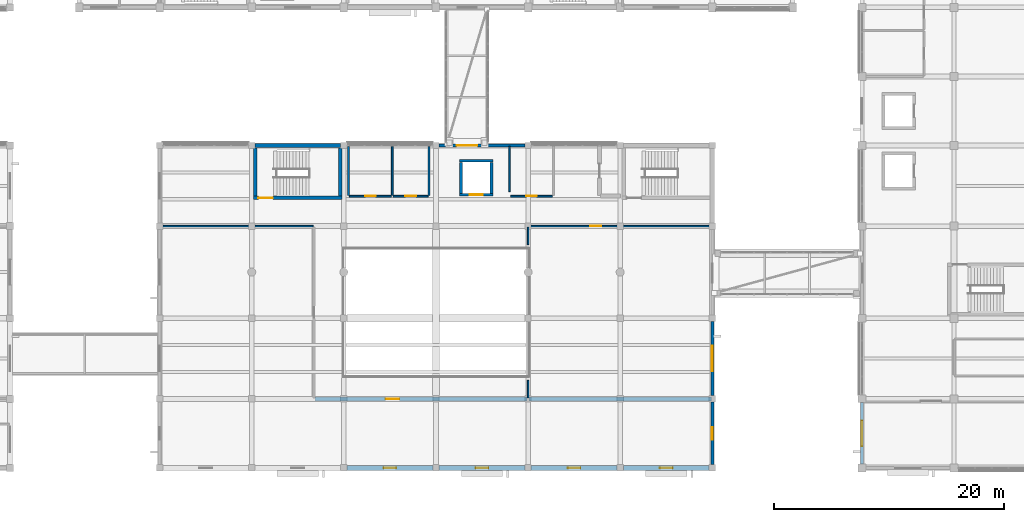
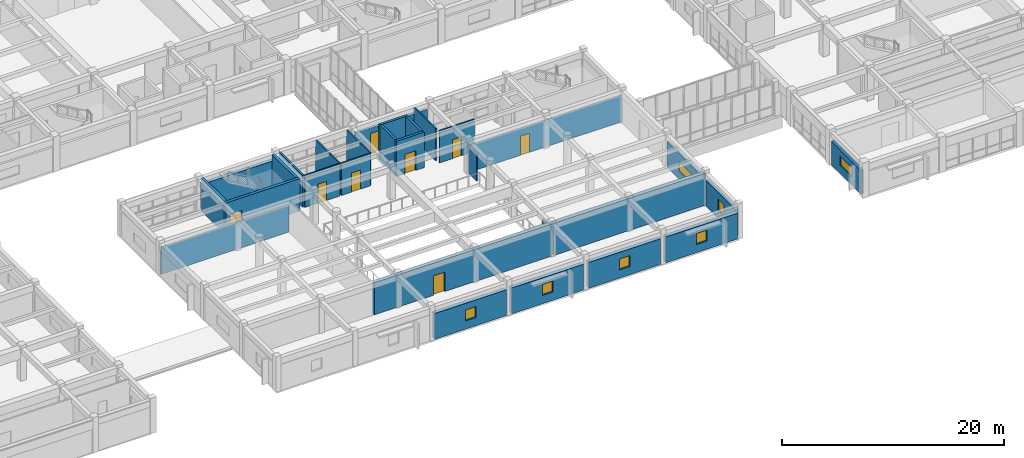
# One storey, part 48 of 66: 29 walls, 8 doors, 7 windows, 15 openings.
"""IFC4 building model written with IfcOpenShell, lengths in metres."""

from ifc_helpers import new_model, si_unit, direction, frame, frame_2d, origin, place, context, subcontext, project, spatial, rectangle, extrude, material, layer, layer_set, type_object, element, fill, save


model = new_model("IFC4")

# Units and contexts
model_context = context("Model", 3, precision=1e-05, world=origin(), true_north=direction((0.0, 1.0)))
body_context = subcontext(model_context, "Body", "Model", "MODEL_VIEW")
ifc_project = project(units=[si_unit("LENGTHUNIT", "METRE"), si_unit("AREAUNIT", "SQUARE_METRE"), si_unit("VOLUMEUNIT", "CUBIC_METRE"), si_unit("PLANEANGLEUNIT", "RADIAN"), si_unit("MASSUNIT", "GRAM", prefix="KILO")], contexts=[model_context])

# Site, building, storey
site_placement = place(None, origin())
site = spatial("IfcSite", under=ifc_project, at=site_placement, CompositionType="ELEMENT")
building_placement = place(site_placement, origin())
building = spatial("IfcBuilding", under=site, at=building_placement, Name="Naurynzar Civic Courthouse", CompositionType="ELEMENT")
storey_placement = place(building_placement, frame((0.0, 0.0, 14.39990234375)))
storey = spatial("IfcBuildingStorey", under=building, at=storey_placement, Name="L04", CompositionType="ELEMENT", Elevation=14.39990234375)

# Wall, opening, door
ifc_material_1 = material(Name="Concrete C40/50", Category="concrete")
ifc_layer_1 = layer(ifc_material_1, 0.300048828125)
ifc_layer_set_1 = layer_set([ifc_layer_1], Name="WL-CORE-300")
wall_type_1 = type_object("IfcWallType", Name="WL-CORE-300", PredefinedType="SHEAR", material=ifc_layer_set_1)
wall_1_placement = place(storey_placement, frame((77.14990234375, 27.449951171875, 0.0), z_axis=(0.0, 0.0, 1.0), x_axis=(1.0, 0.0, 0.0)))
wall_1 = element("IfcWall", 1, at=wall_1_placement, inside=storey, type_object=wall_type_1, Name="Stair ST-V3A enclosure wall south L04", PredefinedType="SHEAR", context=body_context, shape_type="SweptSolid", body=[
    extrude(rectangle(XDim=7.7001953125, YDim=0.300048828125, at=frame_2d((3.85009765625, 0.0))), origin(), (0.0, 0.0, 1.0), 3.56005859375),
])
opening_1_placement = place(wall_1_placement, frame((0.425048828125, 0.0, 0.0)))
opening_1 = element("IfcOpeningElement", 2, at=opening_1_placement, cuts=wall_1, Name="Opening SD-049", PredefinedType="OPENING", context=body_context, shape_type="SweptSolid", body=[
    extrude(rectangle(XDim=1.25, YDim=2.14990234375, at=frame_2d((0.625, 1.074951171875))), frame((0.0, 0.159912109375, 0.0), z_axis=(0.0, -1.0, 0.0), x_axis=(1.0, 0.0, 0.0)), (0.0, 0.0, 1.0), 0.320068359375),
])
ifc_material_2 = material(Name="Powder-Coated Galvanised Steel", Category="steel")
door_type_1 = type_object("IfcDoorType", Name="DR-STAIR-1250x2150", OperationType="NOTDEFINED", PredefinedType="DOOR", material=ifc_material_2)
door_1_placement = place(opening_1_placement, origin())
door_1 = element("IfcDoor", 3, at=door_1_placement, inside=storey, type_object=door_type_1, Name="Stair ST-V3A fire door L04", OperationType="SINGLE_SWING_LEFT", OverallHeight=2.14990234375, OverallWidth=1.25, PredefinedType="DOOR", context=body_context, shape_type="SweptSolid", body=[
    extrude(rectangle(XDim=1.25, YDim=2.14990234375, at=frame_2d((0.625, 1.074951171875))), frame((0.0, 0.02490234375, 0.0), z_axis=(0.0, -1.0, 0.0), x_axis=(1.0, 0.0, 0.0)), (0.0, 0.0, 1.0), 0.050048828125),
])
fill(opening_1, door_1)

# Walls
for number, where, z_axis, x_axis, name in (
    (4, (77.300048828125, 31.804931640625, 0.0), (0.0, 0.0, 1.0), (0.0, -1.0, 0.0), "Stair ST-V3A enclosure wall west L04"),
    (5, (84.699951171875, 27.60498046875, 0.0), (0.0, 0.0, 1.0), (0.0, 1.0, 0.0), "Stair ST-V3A enclosure wall east L04"),
):
    element("IfcWall", number, at=place(storey_placement, frame(where, z_axis=z_axis, x_axis=x_axis)), inside=storey, type_object=wall_type_1, Name=name, PredefinedType="SHEAR", context=body_context, shape_type="SweptSolid", body=[
        extrude(rectangle(XDim=4.199951171875, YDim=0.300048828125, at=frame_2d((2.10009765625, 0.0))), origin(), (0.0, 0.0, 1.0), 3.56005859375),
    ])

# Wall, opening, door
ifc_material_3 = material(Name="Concrete C40/50", Category="concrete")
ifc_layer_2 = layer(ifc_material_3, 0.35009765625)
ifc_layer_set_2 = layer_set([ifc_layer_2], Name="WL-CORE-350")
wall_type_2 = type_object("IfcWallType", Name="WL-CORE-350", PredefinedType="SHEAR", material=ifc_layer_set_2)
wall_2_placement = place(storey_placement, frame((82.47998046875, 10.0, 0.0), z_axis=(0.0, 0.0, 1.0), x_axis=(1.0, 0.0, 0.0)))
wall_2 = element("IfcWall", 6, at=wall_2_placement, inside=storey, type_object=wall_type_2, Name="V3 interior partition L04.448", PredefinedType="SHEAR", context=body_context, shape_type="SweptSolid", body=[
    extrude(rectangle(XDim=18.43994140625, YDim=0.35009765625, at=frame_2d((9.219970703125, 0.0))), origin(), (0.0, 0.0, 1.0), 3.5400390625),
])
opening_2_placement = place(wall_2_placement, frame((6.138916015625, 0.0, 0.0)))
opening_2 = element("IfcOpeningElement", 7, at=opening_2_placement, cuts=wall_2, Name="Opening D-248", PredefinedType="OPENING", context=body_context, shape_type="SweptSolid", body=[
    extrude(rectangle(XDim=1.199951171875, YDim=2.14990234375, at=frame_2d((0.60009765625, 1.074951171875))), frame((0.0, 0.18505859375, 0.0), z_axis=(0.0, -1.0, 0.0), x_axis=(1.0, 0.0, 0.0)), (0.0, 0.0, 1.0), 0.3701171875),
])
ifc_material_4 = material(Name="Powder-Coated Galvanised Steel", Category="steel")
door_type_2 = type_object("IfcDoorType", Name="DR-ARCH-1200x2150", OperationType="NOTDEFINED", PredefinedType="DOOR", material=ifc_material_4)
door_2_placement = place(opening_2_placement, origin())
door_2 = element("IfcDoor", 8, at=door_2_placement, inside=storey, type_object=door_type_2, Name="Interior door D-248 (Law Library Book Stacks South L04)", OperationType="SINGLE_SWING_RIGHT", OverallHeight=2.14990234375, OverallWidth=1.199951171875, PredefinedType="DOOR", context=body_context, shape_type="SweptSolid", body=[
    extrude(rectangle(XDim=1.199951171875, YDim=2.14990234375, at=frame_2d((0.60009765625, 1.074951171875))), frame((0.0, 0.02490234375, 0.0), z_axis=(0.0, -1.0, 0.0), x_axis=(1.0, 0.0, 0.0)), (0.0, 0.0, 1.0), 0.050048828125),
])
fill(opening_2, door_2)

# Wall
wall_3_placement = place(storey_placement, frame((101.080078125, 10.0, 0.0), z_axis=(0.0, 0.0, 1.0), x_axis=(1.0, 0.0, 0.0)))
element("IfcWall", 9, at=wall_3_placement, inside=storey, type_object=wall_type_2, Name="V3 interior partition L04.449", PredefinedType="SHEAR", context=body_context, shape_type="SweptSolid", body=[
    extrude(rectangle(XDim=15.83984375, YDim=0.35009765625, at=frame_2d((7.919921875, 0.0))), origin(), (0.0, 0.0, 1.0), 3.5400390625),
])

# Wall, opening, door
ifc_material_5 = material(Name="Precast concrete C40/50", Category="concrete")
ifc_layer_3 = layer(ifc_material_5, 0.260009765625)
ifc_layer_set_3 = layer_set([ifc_layer_3], Name="WL-EXT-260")
wall_type_3 = type_object("IfcWallType", Name="WL-EXT-260", PredefinedType="SOLIDWALL", material=ifc_layer_set_3)
wall_4_placement = place(storey_placement, frame((93.27490234375, 32.0, 0.0), z_axis=(0.0, 0.0, 1.0), x_axis=(1.0, 0.0, 0.0)))
wall_4 = element("IfcWall", 10, at=wall_4_placement, inside=storey, type_object=wall_type_3, Name="V3 exterior wall north L04.4.1", PredefinedType="SOLIDWALL", context=body_context, shape_type="SweptSolid", body=[
    extrude(rectangle(XDim=7.4501953125, YDim=0.260009765625, at=frame_2d((3.72509765625, 0.0))), origin(), (0.0, 0.0, 1.0), 2.840087890625),
])
opening_3_placement = place(wall_4_placement, frame((1.52490234375, 0.0, 0.0)))
opening_3 = element("IfcOpeningElement", 11, at=opening_3_placement, cuts=wall_4, Name="Opening BD-25", PredefinedType="OPENING", context=body_context, shape_type="SweptSolid", body=[
    extrude(rectangle(XDim=1.800048828125, YDim=2.25, at=frame_2d((0.89990234375, 1.125))), frame((0.0, 0.139892578125, 0.0), z_axis=(0.0, -1.0, 0.0), x_axis=(1.0, 0.0, 0.0)), (0.0, 0.0, 1.0), 0.280029296875),
])
ifc_material_6 = material(Name="Aluminium 6063-T6", Category="aluminium")
door_type_3 = type_object("IfcDoorType", Name="DR-BRG-1800x2250", OperationType="DOUBLE_DOOR_SINGLE_SWING", PredefinedType="DOOR", material=ifc_material_6)
door_3_placement = place(opening_3_placement, origin())
door_3 = element("IfcDoor", 12, at=door_3_placement, inside=storey, type_object=door_type_3, Name="Seismic bridge fire door BD-25", OperationType="DOUBLE_DOOR_SINGLE_SWING", OverallHeight=2.25, OverallWidth=1.800048828125, PredefinedType="DOOR", context=body_context, shape_type="SweptSolid", body=[
    extrude(rectangle(XDim=1.800048828125, YDim=2.25, at=frame_2d((0.89990234375, 1.125))), frame((0.0, 0.02490234375, 0.0), z_axis=(0.0, -1.0, 0.0), x_axis=(1.0, 0.0, 0.0)), (0.0, 0.0, 1.0), 0.050048828125),
])
fill(opening_3, door_3)

# Wall, opening, window
wall_5_placement = place(storey_placement, frame((117.0, 16.72509765625, 0.0), z_axis=(0.0, 0.0, 1.0), x_axis=(0.0, -1.0, 0.0)))
wall_5 = element("IfcWall", 13, at=wall_5_placement, inside=storey, type_object=wall_type_3, Name="V3 exterior wall east L04.3.1", PredefinedType="SOLIDWALL", context=body_context, shape_type="SweptSolid", body=[
    extrude(rectangle(XDim=6.4501953125, YDim=0.260009765625, at=frame_2d((3.22509765625, 0.0))), origin(), (0.0, 0.0, 1.0), 2.840087890625),
])
opening_4_placement = place(wall_5_placement, frame((2.125, 0.0, 0.89990234375)))
opening_4 = element("IfcOpeningElement", 14, at=opening_4_placement, cuts=wall_5, Name="Opening WN-18", PredefinedType="OPENING", context=body_context, shape_type="SweptSolid", body=[
    extrude(rectangle(XDim=2.199951171875, YDim=1.0, at=frame_2d((1.10009765625, 0.5))), frame((0.0, 0.139892578125, 0.0), z_axis=(0.0, -1.0, 0.0), x_axis=(1.0, 0.0, 0.0)), (0.0, 0.0, 1.0), 0.280029296875),
])
ifc_material_7 = material(Name="Tempered Laminated Low-E Glass", Category="glass")
window_type_1 = type_object("IfcWindowType", Name="WIN-CLER-2200x1000", PartitioningType="DOUBLE_PANEL_VERTICAL", PredefinedType="WINDOW", material=ifc_material_7)
window_1_placement = place(opening_4_placement, origin())
window_1 = element("IfcWindow", 15, at=window_1_placement, inside=storey, type_object=window_type_1, Name="V3 window 182 L04", OverallHeight=1.0, OverallWidth=2.199951171875, PartitioningType="SINGLE_PANEL", PredefinedType="WINDOW", context=body_context, shape_type="SweptSolid", body=[
    extrude(rectangle(XDim=2.199951171875, YDim=1.0, at=frame_2d((1.10009765625, 0.5))), frame((0.0, 0.030029296875, 0.0), z_axis=(0.0, -1.0, 0.0), x_axis=(1.0, 0.0, 0.0)), (0.0, 0.0, 1.0), 0.06005859375),
])
fill(opening_4, window_1)

wall_6_placement = place(storey_placement, frame((117.0, 9.72509765625, 0.0), z_axis=(0.0, 0.0, 1.0), x_axis=(0.0, -1.0, 0.0)))
wall_6 = element("IfcWall", 16, at=wall_6_placement, inside=storey, type_object=wall_type_3, Name="V3 exterior wall east L04.4.1", PredefinedType="SOLIDWALL", context=body_context, shape_type="SweptSolid", body=[
    extrude(rectangle(XDim=5.4501953125, YDim=0.260009765625, at=frame_2d((2.72509765625, 0.0))), origin(), (0.0, 0.0, 1.0), 2.840087890625),
])
opening_5_placement = place(wall_6_placement, frame((2.175048828125, 0.0, 0.89990234375)))
opening_5 = element("IfcOpeningElement", 17, at=opening_5_placement, cuts=wall_6, Name="Opening WN-15", PredefinedType="OPENING", context=body_context, shape_type="SweptSolid", body=[
    extrude(rectangle(XDim=1.10009765625, YDim=1.199951171875, at=frame_2d((0.550048828125, 0.60009765625))), frame((0.0, 0.139892578125, 0.0), z_axis=(0.0, -1.0, 0.0), x_axis=(1.0, 0.0, 0.0)), (0.0, 0.0, 1.0), 0.280029296875),
])
ifc_material_8 = material(Name="Tempered Laminated Low-E Glass", Category="glass")
window_type_2 = type_object("IfcWindowType", Name="WIN-SEC-1100x1200", PartitioningType="SINGLE_PANEL", PredefinedType="WINDOW", material=ifc_material_8)
window_2_placement = place(opening_5_placement, origin())
window_2 = element("IfcWindow", 18, at=window_2_placement, inside=storey, type_object=window_type_2, Name="V3 window 183 L04", OverallHeight=1.199951171875, OverallWidth=1.10009765625, PartitioningType="SINGLE_PANEL", PredefinedType="WINDOW", context=body_context, shape_type="SweptSolid", body=[
    extrude(rectangle(XDim=1.10009765625, YDim=1.199951171875, at=frame_2d((0.550048828125, 0.60009765625))), frame((0.0, 0.030029296875, 0.0), z_axis=(0.0, -1.0, 0.0), x_axis=(1.0, 0.0, 0.0)), (0.0, 0.0, 1.0), 0.06005859375),
])
fill(opening_5, window_2)

wall_7_placement = place(storey_placement, frame((130.0, 4.33740234375, 0.0), z_axis=(0.0, 0.0, 1.0), x_axis=(0.0, 1.0, 0.0)))
wall_7 = element("IfcWall", 19, at=wall_7_placement, inside=storey, type_object=wall_type_3, Name="V5 exterior wall west L04.1.1", PredefinedType="SOLIDWALL", context=body_context, shape_type="SweptSolid", body=[
    extrude(rectangle(XDim=5.3251953125, YDim=0.260009765625, at=frame_2d((2.66259765625, 0.0))), origin(), (0.0, 0.0, 1.0), 2.610107421875),
])
opening_6_placement = place(wall_7_placement, frame((1.5625, 0.0, 0.89990234375)))
opening_6 = element("IfcOpeningElement", 20, at=opening_6_placement, cuts=wall_7, Name="Opening WN-18", PredefinedType="OPENING", context=body_context, shape_type="SweptSolid", body=[
    extrude(rectangle(XDim=2.199951171875, YDim=1.0, at=frame_2d((1.10009765625, 0.5))), frame((0.0, 0.139892578125, 0.0), z_axis=(0.0, -1.0, 0.0), x_axis=(1.0, 0.0, 0.0)), (0.0, 0.0, 1.0), 0.280029296875),
])
window_3_placement = place(opening_6_placement, origin())
window_3 = element("IfcWindow", 21, at=window_3_placement, inside=storey, type_object=window_type_1, Name="V5 window 300 L04", OverallHeight=1.0, OverallWidth=2.199951171875, PartitioningType="SINGLE_PANEL", PredefinedType="WINDOW", context=body_context, shape_type="SweptSolid", body=[
    extrude(rectangle(XDim=2.199951171875, YDim=1.0, at=frame_2d((1.10009765625, 0.5))), frame((0.0, 0.030029296875, 0.0), z_axis=(0.0, -1.0, 0.0), x_axis=(1.0, 0.0, 0.0)), (0.0, 0.0, 1.0), 0.06005859375),
])
fill(opening_6, window_3)

# Wall
ifc_material_9 = material(Name="Fire-Rated Corridor Gypsum Partition")
ifc_layer_4 = layer(ifc_material_9, 0.14990234375)
ifc_layer_set_4 = layer_set([ifc_layer_4], Name="WL-PART-CORR-150")
wall_type_4 = type_object("IfcWallType", Name="WL-PART-CORR-150", PredefinedType="PARTITIONING", material=ifc_layer_set_4)
wall_8_placement = place(storey_placement, frame((69.080078125, 25.0, 0.0), z_axis=(0.0, 0.0, 1.0), x_axis=(1.0, 0.0, 0.0)))
element("IfcWall", 22, at=wall_8_placement, inside=storey, type_object=wall_type_4, Name="V3 interior partition L04.459", PredefinedType="PARTITIONING", context=body_context, shape_type="SweptSolid", body=[
    extrude(rectangle(XDim=13.239990234375, YDim=0.14990234375, at=frame_2d((6.6201171875, 0.0))), origin(), (0.0, 0.0, 1.0), 2.960205078125),
])

# Wall, opening, door
ifc_material_10 = material(Name="Metal-Stud Gypsum Partition")
ifc_layer_5 = layer(ifc_material_10, 0.125)
ifc_layer_set_5 = layer_set([ifc_layer_5], Name="WL-PART-STD-125")
wall_type_5 = type_object("IfcWallType", Name="WL-PART-STD-125", PredefinedType="PARTITIONING", material=ifc_layer_set_5)
wall_9_placement = place(storey_placement, frame((101.080078125, 25.0, 0.0), z_axis=(0.0, 0.0, 1.0), x_axis=(1.0, 0.0, 0.0)))
wall_9 = element("IfcWall", 23, at=wall_9_placement, inside=storey, type_object=wall_type_5, Name="V3 interior partition L04.460", PredefinedType="PARTITIONING", context=body_context, shape_type="SweptSolid", body=[
    extrude(rectangle(XDim=15.83984375, YDim=0.125, at=frame_2d((7.919921875, 0.0))), origin(), (0.0, 0.0, 1.0), 2.960205078125),
])
opening_7_placement = place(wall_9_placement, frame((5.320068359375, 0.0, 0.0)))
opening_7 = element("IfcOpeningElement", 24, at=opening_7_placement, cuts=wall_9, Name="Opening D-251", PredefinedType="OPENING", context=body_context, shape_type="SweptSolid", body=[
    extrude(rectangle(XDim=0.93994140625, YDim=2.10009765625, at=frame_2d((0.469970703125, 1.050048828125))), frame((0.0, 0.072509765625, 0.0), z_axis=(0.0, -1.0, 0.0), x_axis=(1.0, 0.0, 0.0)), (0.0, 0.0, 1.0), 0.14501953125),
])
ifc_material_11 = material(Name="Acoustic Oak Timber Grade A", Category="wood")
door_type_4 = type_object("IfcDoorType", Name="DR-SUITE-940x2100", OperationType="NOTDEFINED", PredefinedType="DOOR", material=ifc_material_11)
door_4_placement = place(opening_7_placement, origin())
door_4 = element("IfcDoor", 25, at=door_4_placement, inside=storey, type_object=door_type_4, Name="Interior door D-251 (Law Library Reading Room East)", OperationType="SINGLE_SWING_LEFT", OverallHeight=2.10009765625, OverallWidth=0.93994140625, PredefinedType="DOOR", context=body_context, shape_type="SweptSolid", body=[
    extrude(rectangle(XDim=0.93994140625, YDim=2.10009765625, at=frame_2d((0.469970703125, 1.050048828125))), frame((0.0, 0.02490234375, 0.0), z_axis=(0.0, -1.0, 0.0), x_axis=(1.0, 0.0, 0.0)), (0.0, 0.0, 1.0), 0.050048828125),
])
fill(opening_7, door_4)

# Walls
for number, where, z_axis, x_axis, name in (
    (26, (101.0, 10.080078125, 0.0), (0.0, 0.0, 1.0), (0.0, 1.0, 0.0), "V3 interior partition L04.545"),
    (27, (101.0, 23.39990234375, 0.0), (0.0, 0.0, 1.0), (0.0, 1.0, 0.0), "V3 interior partition L04.546"),
):
    element("IfcWall", number, at=place(storey_placement, frame(where, z_axis=z_axis, x_axis=x_axis)), inside=storey, type_object=wall_type_5, Name=name, PredefinedType="PARTITIONING", context=body_context, shape_type="SweptSolid", body=[
        extrude(rectangle(XDim=1.52001953125, YDim=0.125, at=frame_2d((0.760009765625, 0.0))), origin(), (0.0, 0.0, 1.0), 3.010009765625),
    ])

# Wall, opening, door
ifc_material_12 = material(Name="Moisture-Resistant Plumbing Partition")
ifc_layer_6 = layer(ifc_material_12, 0.139892578125)
ifc_layer_set_6 = layer_set([ifc_layer_6], Name="WL-PART-WC-140")
wall_type_6 = type_object("IfcWallType", Name="WL-PART-WC-140", PredefinedType="PLUMBINGWALL", material=ifc_layer_set_6)
wall_10_placement = place(storey_placement, frame((85.47998046875, 27.60009765625, 0.0), z_axis=(0.0, 0.0, 1.0), x_axis=(1.0, 0.0, 0.0)))
wall_10 = element("IfcWall", 28, at=wall_10_placement, inside=storey, type_object=wall_type_6, Name="V3 interior partition L04.464", PredefinedType="PLUMBINGWALL", context=body_context, shape_type="SweptSolid", body=[
    extrude(rectangle(XDim=3.64013671875, YDim=0.139892578125, at=frame_2d((1.820068359375, 0.0))), origin(), (0.0, 0.0, 1.0), 3.5400390625),
])
opening_8_placement = place(wall_10_placement, frame((1.360107421875, 0.0, 0.0)))
opening_8 = element("IfcOpeningElement", 29, at=opening_8_placement, cuts=wall_10, Name="Opening D-245", PredefinedType="OPENING", context=body_context, shape_type="SweptSolid", body=[
    extrude(rectangle(XDim=0.919921875, YDim=2.10009765625, at=frame_2d((0.4599609375, 1.050048828125))), frame((0.0, 0.079833984375, 0.0), z_axis=(0.0, -1.0, 0.0), x_axis=(1.0, 0.0, 0.0)), (0.0, 0.0, 1.0), 0.159912109375),
])
ifc_material_13 = material(Name="Acoustic Oak Timber Grade A", Category="wood")
door_type_5 = type_object("IfcDoorType", Name="DR-WC-STD-920x2100", OperationType="NOTDEFINED", PredefinedType="DOOR", material=ifc_material_13)
door_5_placement = place(opening_8_placement, origin())
door_5 = element("IfcDoor", 30, at=door_5_placement, inside=storey, type_object=door_type_5, Name="Interior door D-245 (Public WC V3)", OperationType="SINGLE_SWING_LEFT", OverallHeight=2.10009765625, OverallWidth=0.919921875, PredefinedType="DOOR", context=body_context, shape_type="SweptSolid", body=[
    extrude(rectangle(XDim=0.919921875, YDim=2.10009765625, at=frame_2d((0.4599609375, 1.050048828125))), frame((0.0, 0.02490234375, 0.0), z_axis=(0.0, -1.0, 0.0), x_axis=(1.0, 0.0, 0.0)), (0.0, 0.0, 1.0), 0.050048828125),
])
fill(opening_8, door_5)

wall_11_placement = place(storey_placement, frame((89.280029296875, 27.60009765625, 0.0), z_axis=(0.0, 0.0, 1.0), x_axis=(1.0, 0.0, 0.0)))
wall_11 = element("IfcWall", 31, at=wall_11_placement, inside=storey, type_object=wall_type_6, Name="V3 interior partition L04.465", PredefinedType="PLUMBINGWALL", context=body_context, shape_type="SweptSolid", body=[
    extrude(rectangle(XDim=3.0400390625, YDim=0.139892578125, at=frame_2d((1.52001953125, 0.0))), origin(), (0.0, 0.0, 1.0), 3.5400390625),
])
opening_9_placement = place(wall_11_placement, frame((1.0400390625, 0.0, 0.0)))
opening_9 = element("IfcOpeningElement", 32, at=opening_9_placement, cuts=wall_11, Name="Opening D-246", PredefinedType="OPENING", context=body_context, shape_type="SweptSolid", body=[
    extrude(rectangle(XDim=0.9599609375, YDim=2.10009765625, at=frame_2d((0.47998046875, 1.050048828125))), frame((0.0, 0.079833984375, 0.0), z_axis=(0.0, -1.0, 0.0), x_axis=(1.0, 0.0, 0.0)), (0.0, 0.0, 1.0), 0.159912109375),
])
ifc_material_14 = material(Name="Acoustic Oak Timber Grade A", Category="wood")
door_type_6 = type_object("IfcDoorType", Name="DR-WC-ACC-960x2100", OperationType="NOTDEFINED", PredefinedType="DOOR", material=ifc_material_14)
door_6_placement = place(opening_9_placement, origin())
door_6 = element("IfcDoor", 33, at=door_6_placement, inside=storey, type_object=door_type_6, Name="Interior door D-246 (Accessible WC V3)", OperationType="SINGLE_SWING_RIGHT", OverallHeight=2.10009765625, OverallWidth=0.9599609375, PredefinedType="DOOR", context=body_context, shape_type="SweptSolid", body=[
    extrude(rectangle(XDim=0.9599609375, YDim=2.10009765625, at=frame_2d((0.47998046875, 1.050048828125))), frame((0.0, 0.02490234375, 0.0), z_axis=(0.0, -1.0, 0.0), x_axis=(1.0, 0.0, 0.0)), (0.0, 0.0, 1.0), 0.050048828125),
])
fill(opening_9, door_6)

wall_12_placement = place(storey_placement, frame((99.47998046875, 27.60009765625, 0.0), z_axis=(0.0, 0.0, 1.0), x_axis=(1.0, 0.0, 0.0)))
wall_12 = element("IfcWall", 34, at=wall_12_placement, inside=storey, type_object=wall_type_6, Name="V3 interior partition L04.466", PredefinedType="PLUMBINGWALL", context=body_context, shape_type="SweptSolid", body=[
    extrude(rectangle(XDim=3.64013671875, YDim=0.139892578125, at=frame_2d((1.820068359375, 0.0))), origin(), (0.0, 0.0, 1.0), 3.5400390625),
])
opening_10_placement = place(wall_12_placement, frame((1.360107421875, 0.0, 0.0)))
opening_10 = element("IfcOpeningElement", 35, at=opening_10_placement, cuts=wall_12, Name="Opening D-247", PredefinedType="OPENING", context=body_context, shape_type="SweptSolid", body=[
    extrude(rectangle(XDim=0.919921875, YDim=2.10009765625, at=frame_2d((0.4599609375, 1.050048828125))), frame((0.0, 0.079833984375, 0.0), z_axis=(0.0, -1.0, 0.0), x_axis=(1.0, 0.0, 0.0)), (0.0, 0.0, 1.0), 0.159912109375),
])
door_7_placement = place(opening_10_placement, origin())
door_7 = element("IfcDoor", 36, at=door_7_placement, inside=storey, type_object=door_type_5, Name="Interior door D-247 (Staff WC V3)", OperationType="SINGLE_SWING_LEFT", OverallHeight=2.10009765625, OverallWidth=0.919921875, PredefinedType="DOOR", context=body_context, shape_type="SweptSolid", body=[
    extrude(rectangle(XDim=0.919921875, YDim=2.10009765625, at=frame_2d((0.4599609375, 1.050048828125))), frame((0.0, 0.02490234375, 0.0), z_axis=(0.0, -1.0, 0.0), x_axis=(1.0, 0.0, 0.0)), (0.0, 0.0, 1.0), 0.050048828125),
])
fill(opening_10, door_7)

# Walls
for number, where, z_axis, x_axis, name in (
    (37, (85.39990234375, 27.679931640625, 0.0), (0.0, 0.0, 1.0), (0.0, 1.0, 0.0), "V3 interior partition L04.536"),
    (38, (89.199951171875, 27.679931640625, 0.0), (0.0, 0.0, 1.0), (0.0, 1.0, 0.0), "V3 interior partition L04.539"),
    (39, (92.39990234375, 27.679931640625, 0.0), (0.0, 0.0, 1.0), (0.0, 1.0, 0.0), "V3 interior partition L04.540"),
):
    element("IfcWall", number, at=place(storey_placement, frame(where, z_axis=z_axis, x_axis=x_axis)), inside=storey, type_object=wall_type_6, Name=name, PredefinedType="PLUMBINGWALL", context=body_context, shape_type="SweptSolid", body=[
        extrude(rectangle(XDim=4.239990234375, YDim=0.139892578125, at=frame_2d((2.1201171875, 0.0))), origin(), (0.0, 0.0, 1.0), 3.5400390625),
    ])
wall_13_placement = place(storey_placement, frame((99.39990234375, 28.0, 0.0), z_axis=(0.0, 0.0, 1.0), x_axis=(0.0, 1.0, 0.0)))
element("IfcWall", 40, at=wall_13_placement, inside=storey, type_object=wall_type_6, Name="V3 interior partition L04.544", PredefinedType="PLUMBINGWALL", context=body_context, shape_type="SweptSolid", body=[
    extrude(rectangle(XDim=3.919921875, YDim=0.139892578125, at=frame_2d((1.9599609375, 0.0))), origin(), (0.0, 0.0, 1.0), 3.5400390625),
])
ifc_material_15 = material(Name="Concrete C40/50", Category="concrete")
ifc_layer_7 = layer(ifc_material_15, 0.3798828125)
ifc_layer_set_7 = layer_set([ifc_layer_7], Name="WL-RET-380")
wall_type_7 = type_object("IfcWallType", Name="WL-RET-380", PredefinedType="STANDARD", material=ifc_layer_set_7)
wall_14_placement = place(storey_placement, frame((77.27490234375, 32.0, 0.0), z_axis=(0.0, 0.0, 1.0), x_axis=(1.0, 0.0, 0.0)))
element("IfcWall", 41, at=wall_14_placement, inside=storey, type_object=wall_type_7, Name="V3 exterior wall north L04.2.1", PredefinedType="STANDARD", context=body_context, shape_type="SweptSolid", body=[
    extrude(rectangle(XDim=7.4501953125, YDim=0.3798828125, at=frame_2d((3.72509765625, 0.0))), origin(), (0.0, 0.0, 1.0), 2.840087890625),
])

# Wall, opening, door
ifc_material_16 = material(Name="Concrete C40/50", Category="concrete")
ifc_layer_8 = layer(ifc_material_16, 0.25)
ifc_layer_set_8 = layer_set([ifc_layer_8], Name="WL-SHAFT-250")
wall_type_8 = type_object("IfcWallType", Name="WL-SHAFT-250", PredefinedType="SHEAR", material=ifc_layer_set_8)
wall_15_placement = place(storey_placement, frame((95.050048828125, 27.72509765625, 0.0), z_axis=(0.0, 0.0, 1.0), x_axis=(1.0, 0.0, 0.0)))
wall_15 = element("IfcWall", 42, at=wall_15_placement, inside=storey, type_object=wall_type_8, Name="Lift LP-04 shaft wall south L04", PredefinedType="SHEAR", context=body_context, shape_type="SweptSolid", body=[
    extrude(rectangle(XDim=2.89990234375, YDim=0.25, at=frame_2d((1.449951171875, 0.0))), origin(), (0.0, 0.0, 1.0), 3.900146484375),
])
opening_11_placement = place(wall_15_placement, frame((0.89990234375, 0.0, 0.0)))
opening_11 = element("IfcOpeningElement", 43, at=opening_11_placement, cuts=wall_15, Name="Opening LD-065", PredefinedType="OPENING", context=body_context, shape_type="SweptSolid", body=[
    extrude(rectangle(XDim=1.10009765625, YDim=2.14990234375, at=frame_2d((0.550048828125, 1.074951171875))), frame((0.0, 0.135009765625, 0.0), z_axis=(0.0, -1.0, 0.0), x_axis=(1.0, 0.0, 0.0)), (0.0, 0.0, 1.0), 0.27001953125),
])
ifc_material_17 = material(Name="Brushed Stainless Steel 304", Category="steel")
door_type_7 = type_object("IfcDoorType", Name="DR-LIFT-SLIDE-1100x2150", OperationType="DOUBLE_DOOR_SLIDING", PredefinedType="DOOR", material=ifc_material_17)
door_8_placement = place(opening_11_placement, origin())
door_8 = element("IfcDoor", 44, at=door_8_placement, inside=storey, type_object=door_type_7, Name="Lift LP-04 sliding landing door L04", OperationType="DOUBLE_DOOR_SLIDING", OverallHeight=2.14990234375, OverallWidth=1.10009765625, PredefinedType="DOOR", context=body_context, shape_type="SweptSolid", body=[
    extrude(rectangle(XDim=1.10009765625, YDim=2.14990234375, at=frame_2d((0.550048828125, 1.074951171875))), frame((0.0, 0.02490234375, 0.0), z_axis=(0.0, -1.0, 0.0), x_axis=(1.0, 0.0, 0.0)), (0.0, 0.0, 1.0), 0.050048828125),
])
fill(opening_11, door_8)

# Walls
wall_16_placement = place(storey_placement, frame((97.949951171875, 30.675048828125, 0.0), z_axis=(0.0, 0.0, 1.0), x_axis=(-1.0, 0.0, 0.0)))
element("IfcWall", 45, at=wall_16_placement, inside=storey, type_object=wall_type_8, Name="Lift LP-04 shaft wall north L04", PredefinedType="SHEAR", context=body_context, shape_type="SweptSolid", body=[
    extrude(rectangle(XDim=2.89990234375, YDim=0.25, at=frame_2d((1.449951171875, 0.0))), origin(), (0.0, 0.0, 1.0), 3.900146484375),
])
for number, where, z_axis, x_axis, name in (
    (46, (95.175048828125, 30.544921875, 0.0), (0.0, 0.0, 1.0), (0.0, -1.0, 0.0), "Lift LP-04 shaft wall west L04"),
    (47, (97.824951171875, 27.85498046875, 0.0), (0.0, 0.0, 1.0), (0.0, 1.0, 0.0), "Lift LP-04 shaft wall east L04"),
):
    element("IfcWall", number, at=place(storey_placement, frame(where, z_axis=z_axis, x_axis=x_axis)), inside=storey, type_object=wall_type_8, Name=name, PredefinedType="SHEAR", context=body_context, shape_type="SweptSolid", body=[
        extrude(rectangle(XDim=2.68994140625, YDim=0.25, at=frame_2d((1.344970703125, 0.0))), origin(), (0.0, 0.0, 1.0), 3.900146484375),
    ])

# Wall, opening, window
ifc_material_18 = material(Name="Concrete C40/50", Category="concrete")
ifc_layer_9 = layer(ifc_material_18, 0.419921875)
ifc_layer_set_9 = layer_set([ifc_layer_9], Name="WL-STACK-420")
wall_type_9 = type_object("IfcWallType", Name="WL-STACK-420", PredefinedType="SOLIDWALL", material=ifc_layer_set_9)
wall_17_placement = place(storey_placement, frame((116.72509765625, 4.0, 0.0), z_axis=(0.0, 0.0, 1.0), x_axis=(-1.0, 0.0, 0.0)))
wall_17 = element("IfcWall", 48, at=wall_17_placement, inside=storey, type_object=wall_type_9, Name="V3 exterior wall south L04.1.1", PredefinedType="SOLIDWALL", context=body_context, shape_type="SweptSolid", body=[
    extrude(rectangle(XDim=7.4501953125, YDim=0.419921875, at=frame_2d((3.72509765625, 0.0))), origin(), (0.0, 0.0, 1.0), 2.840087890625),
])
opening_12_placement = place(wall_17_placement, frame((3.175048828125, 0.0, 0.89990234375)))
opening_12 = element("IfcOpeningElement", 49, at=opening_12_placement, cuts=wall_17, Name="Opening WN-15", PredefinedType="OPENING", context=body_context, shape_type="SweptSolid", body=[
    extrude(rectangle(XDim=1.10009765625, YDim=1.199951171875, at=frame_2d((0.550048828125, 0.60009765625))), frame((0.0, 0.219970703125, 0.0), z_axis=(0.0, -1.0, 0.0), x_axis=(1.0, 0.0, 0.0)), (0.0, 0.0, 1.0), 0.43994140625),
])
window_4_placement = place(opening_12_placement, origin())
window_4 = element("IfcWindow", 50, at=window_4_placement, inside=storey, type_object=window_type_2, Name="V3 window 184 L04", OverallHeight=1.199951171875, OverallWidth=1.10009765625, PartitioningType="SINGLE_PANEL", PredefinedType="WINDOW", context=body_context, shape_type="SweptSolid", body=[
    extrude(rectangle(XDim=1.10009765625, YDim=1.199951171875, at=frame_2d((0.550048828125, 0.60009765625))), frame((0.0, 0.030029296875, 0.0), z_axis=(0.0, -1.0, 0.0), x_axis=(1.0, 0.0, 0.0)), (0.0, 0.0, 1.0), 0.06005859375),
])
fill(opening_12, window_4)

wall_18_placement = place(storey_placement, frame((108.72509765625, 4.0, 0.0), z_axis=(0.0, 0.0, 1.0), x_axis=(-1.0, 0.0, 0.0)))
wall_18 = element("IfcWall", 51, at=wall_18_placement, inside=storey, type_object=wall_type_9, Name="V3 exterior wall south L04.2.1", PredefinedType="SOLIDWALL", context=body_context, shape_type="SweptSolid", body=[
    extrude(rectangle(XDim=7.4501953125, YDim=0.419921875, at=frame_2d((3.72509765625, 0.0))), origin(), (0.0, 0.0, 1.0), 2.840087890625),
])
opening_13_placement = place(wall_18_placement, frame((3.175048828125, 0.0, 0.89990234375)))
opening_13 = element("IfcOpeningElement", 52, at=opening_13_placement, cuts=wall_18, Name="Opening WN-15", PredefinedType="OPENING", context=body_context, shape_type="SweptSolid", body=[
    extrude(rectangle(XDim=1.10009765625, YDim=1.199951171875, at=frame_2d((0.550048828125, 0.60009765625))), frame((0.0, 0.219970703125, 0.0), z_axis=(0.0, -1.0, 0.0), x_axis=(1.0, 0.0, 0.0)), (0.0, 0.0, 1.0), 0.43994140625),
])
window_5_placement = place(opening_13_placement, origin())
window_5 = element("IfcWindow", 53, at=window_5_placement, inside=storey, type_object=window_type_2, Name="V3 window 185 L04", OverallHeight=1.199951171875, OverallWidth=1.10009765625, PartitioningType="SINGLE_PANEL", PredefinedType="WINDOW", context=body_context, shape_type="SweptSolid", body=[
    extrude(rectangle(XDim=1.10009765625, YDim=1.199951171875, at=frame_2d((0.550048828125, 0.60009765625))), frame((0.0, 0.030029296875, 0.0), z_axis=(0.0, -1.0, 0.0), x_axis=(1.0, 0.0, 0.0)), (0.0, 0.0, 1.0), 0.06005859375),
])
fill(opening_13, window_5)

wall_19_placement = place(storey_placement, frame((100.72509765625, 4.0, 0.0), z_axis=(0.0, 0.0, 1.0), x_axis=(-1.0, 0.0, 0.0)))
wall_19 = element("IfcWall", 54, at=wall_19_placement, inside=storey, type_object=wall_type_9, Name="V3 exterior wall south L04.3.1", PredefinedType="SOLIDWALL", context=body_context, shape_type="SweptSolid", body=[
    extrude(rectangle(XDim=7.4501953125, YDim=0.419921875, at=frame_2d((3.72509765625, 0.0))), origin(), (0.0, 0.0, 1.0), 2.840087890625),
])
opening_14_placement = place(wall_19_placement, frame((3.175048828125, 0.0, 0.89990234375)))
opening_14 = element("IfcOpeningElement", 55, at=opening_14_placement, cuts=wall_19, Name="Opening WN-15", PredefinedType="OPENING", context=body_context, shape_type="SweptSolid", body=[
    extrude(rectangle(XDim=1.10009765625, YDim=1.199951171875, at=frame_2d((0.550048828125, 0.60009765625))), frame((0.0, 0.219970703125, 0.0), z_axis=(0.0, -1.0, 0.0), x_axis=(1.0, 0.0, 0.0)), (0.0, 0.0, 1.0), 0.43994140625),
])
window_6_placement = place(opening_14_placement, origin())
window_6 = element("IfcWindow", 56, at=window_6_placement, inside=storey, type_object=window_type_2, Name="V3 window 186 L04", OverallHeight=1.199951171875, OverallWidth=1.10009765625, PartitioningType="SINGLE_PANEL", PredefinedType="WINDOW", context=body_context, shape_type="SweptSolid", body=[
    extrude(rectangle(XDim=1.10009765625, YDim=1.199951171875, at=frame_2d((0.550048828125, 0.60009765625))), frame((0.0, 0.030029296875, 0.0), z_axis=(0.0, -1.0, 0.0), x_axis=(1.0, 0.0, 0.0)), (0.0, 0.0, 1.0), 0.06005859375),
])
fill(opening_14, window_6)

wall_20_placement = place(storey_placement, frame((92.72509765625, 4.0, 0.0), z_axis=(0.0, 0.0, 1.0), x_axis=(-1.0, 0.0, 0.0)))
wall_20 = element("IfcWall", 57, at=wall_20_placement, inside=storey, type_object=wall_type_9, Name="V3 exterior wall south L04.4.1", PredefinedType="SOLIDWALL", context=body_context, shape_type="SweptSolid", body=[
    extrude(rectangle(XDim=7.4501953125, YDim=0.419921875, at=frame_2d((3.72509765625, 0.0))), origin(), (0.0, 0.0, 1.0), 2.840087890625),
])
opening_15_placement = place(wall_20_placement, frame((3.175048828125, 0.0, 0.89990234375)))
opening_15 = element("IfcOpeningElement", 58, at=opening_15_placement, cuts=wall_20, Name="Opening WN-15", PredefinedType="OPENING", context=body_context, shape_type="SweptSolid", body=[
    extrude(rectangle(XDim=1.10009765625, YDim=1.199951171875, at=frame_2d((0.550048828125, 0.60009765625))), frame((0.0, 0.219970703125, 0.0), z_axis=(0.0, -1.0, 0.0), x_axis=(1.0, 0.0, 0.0)), (0.0, 0.0, 1.0), 0.43994140625),
])
window_7_placement = place(opening_15_placement, origin())
window_7 = element("IfcWindow", 59, at=window_7_placement, inside=storey, type_object=window_type_2, Name="V3 window 187 L04", OverallHeight=1.199951171875, OverallWidth=1.10009765625, PartitioningType="SINGLE_PANEL", PredefinedType="WINDOW", context=body_context, shape_type="SweptSolid", body=[
    extrude(rectangle(XDim=1.10009765625, YDim=1.199951171875, at=frame_2d((0.550048828125, 0.60009765625))), frame((0.0, 0.030029296875, 0.0), z_axis=(0.0, -1.0, 0.0), x_axis=(1.0, 0.0, 0.0)), (0.0, 0.0, 1.0), 0.06005859375),
])
fill(opening_15, window_7)

save(model, "model.ifc")
